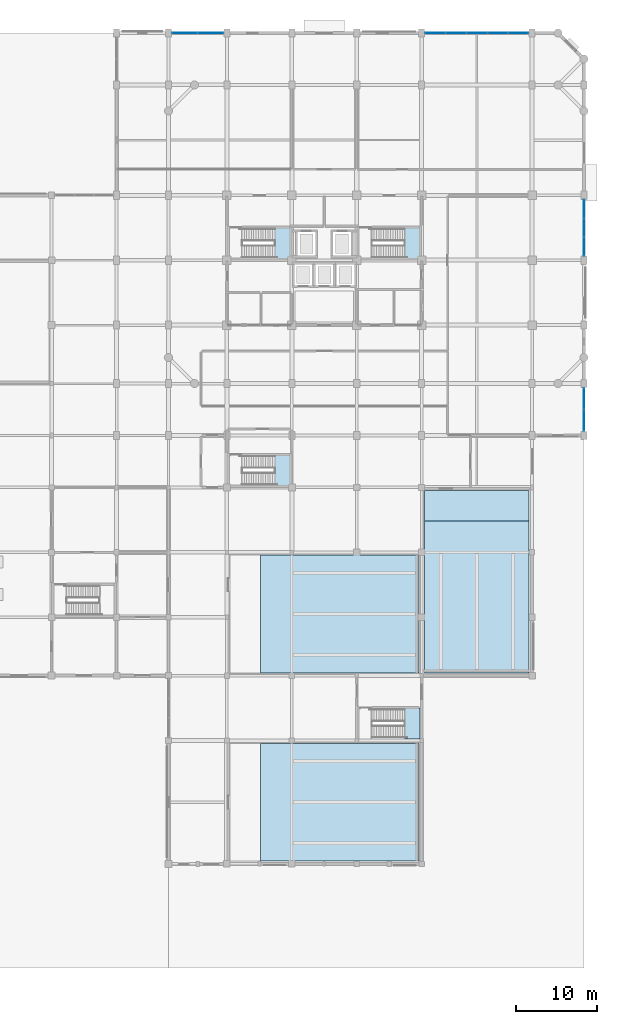
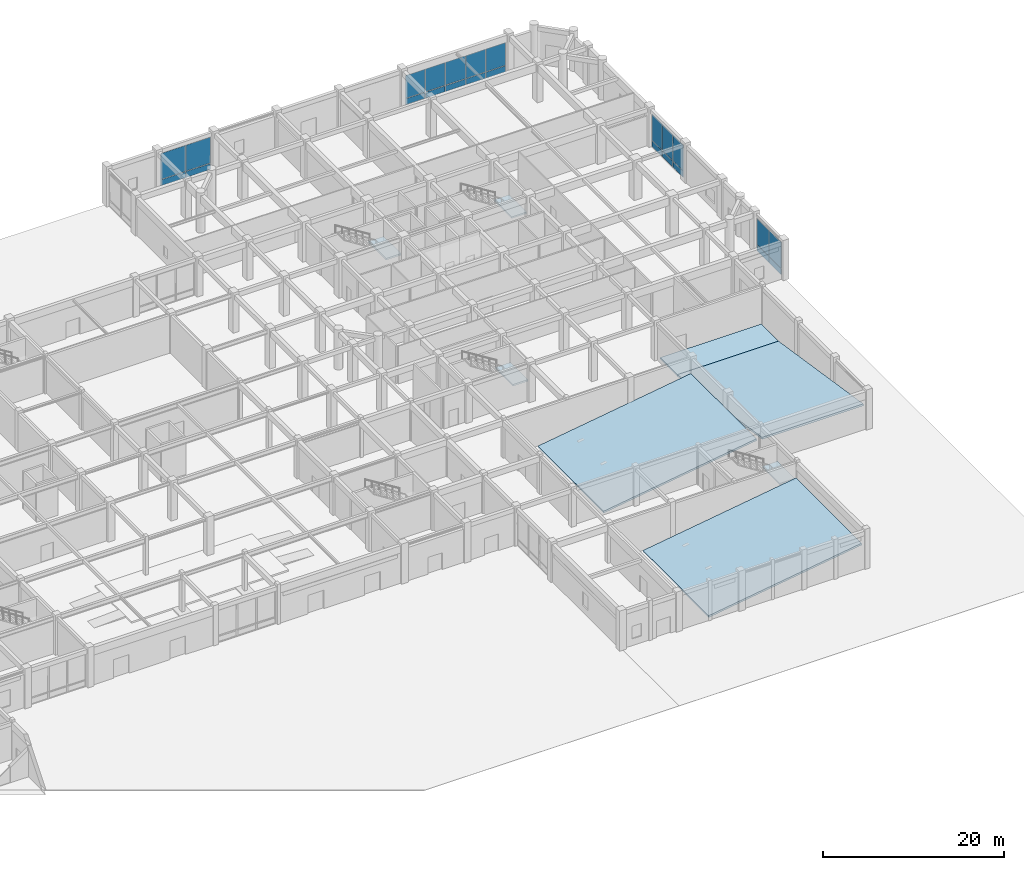
# One storey, part 22 of 40: 24 plates, 8 slabs, 8 elements without a shape of their own.
"""IFC4 building model written with IfcOpenShell, lengths in metres."""

from ifc_helpers import new_model, si_unit, direction, frame, origin, origin_2d, place, context, subcontext, project, spatial, polyline, rectangle, outline, extrude, material, layer, layer_set, type_object, element, aggregate, save


model = new_model("IFC4")

# Units and contexts
model_context = context("Model", 3, precision=1e-05, world=origin(), true_north=direction((0.0, 1.0)))
body_context = subcontext(model_context, "Body", "Model", "MODEL_VIEW")
ifc_project = project(units=[si_unit("LENGTHUNIT", "METRE"), si_unit("AREAUNIT", "SQUARE_METRE"), si_unit("VOLUMEUNIT", "CUBIC_METRE"), si_unit("PLANEANGLEUNIT", "RADIAN"), si_unit("MASSUNIT", "GRAM", prefix="KILO")], contexts=[model_context])

# Site, building, storey
site_placement = place(None, origin())
site = spatial("IfcSite", under=ifc_project, at=site_placement, CompositionType="ELEMENT")
building_placement = place(site_placement, origin())
building = spatial("IfcBuilding", under=site, at=building_placement, Name="Vellmiral Cinema and Media Centre", CompositionType="ELEMENT")
storey_placement = place(building_placement, origin())
storey = spatial("IfcBuildingStorey", under=building, at=storey_placement, Name="L00", CompositionType="ELEMENT", Elevation=0.0)

# Curtain wall, plates
ifc_material_1 = material(Name="Thermally Broken Aluminium and Triple Glazing", Category="aluminium")
curtain_wall_type = type_object("IfcCurtainWallType", Name="CW-LIB-BAY", PredefinedType="USERDEFINED", material=ifc_material_1)
curtain_wall_1_placement = place(storey_placement, origin())
curtain_wall_1 = element("IfcCurtainWall", 1, at=curtain_wall_1_placement, inside=storey, type_object=curtain_wall_type, Name="Curtain Wall L00-B037", ObjectType="STICK CURTAIN WALL", PredefinedType="USERDEFINED")
ifc_material_2 = material(Name="Laminated Studio Acoustic Glazing", Category="glass")
ifc_layer_1 = layer(ifc_material_2, 0.0439453125, Name="Laminated Studio Acoustic Glazing")
ifc_layer_set_1 = layer_set([ifc_layer_1], Name="Laminated Studio Acoustic Glazing")
plate_type_1 = type_object("IfcPlateType", Name="CWP-ACOUST-44", PredefinedType="CURTAIN_PANEL", material=ifc_layer_set_1)
plate_1_placement = place(storey_placement, frame((168.0, 67.467529296875, 0.93505859375), z_axis=(0.0, 0.0, 1.0), x_axis=(0.0, 1.0, 0.0)))
plate_1 = element("IfcPlate", 2, at=plate_1_placement, type_object=plate_type_1, Name="CW-03 panel 1.2", PredefinedType="CURTAIN_PANEL", context=body_context, shape_type="SweptSolid", body=[
    extrude(rectangle(XDim=2.594970703125, YDim=0.0439453125, at=origin_2d()), origin(), (0.0, 0.0, 1.0), 3.47509765625),
])
plate_2_placement = place(storey_placement, frame((168.0, 70.132568359375, 0.93505859375), z_axis=(0.0, 0.0, 1.0), x_axis=(0.0, 1.0, 0.0)))
plate_2 = element("IfcPlate", 3, at=plate_2_placement, type_object=plate_type_1, Name="CW-03 panel 2.2", PredefinedType="CURTAIN_PANEL", context=body_context, shape_type="SweptSolid", body=[
    extrude(rectangle(XDim=2.594970703125, YDim=0.0439453125, at=origin_2d()), origin(), (0.0, 0.0, 1.0), 3.47509765625),
])

curtain_wall_2_placement = place(storey_placement, origin())
curtain_wall_2 = element("IfcCurtainWall", 4, at=curtain_wall_2_placement, inside=storey, type_object=curtain_wall_type, Name="Curtain Wall L00-B041", ObjectType="STICK CURTAIN WALL", PredefinedType="USERDEFINED")
plate_3_placement = place(storey_placement, frame((168.0, 88.88427734375, 0.93505859375), z_axis=(0.0, 0.0, 1.0), x_axis=(0.0, 1.0, 0.0)))
plate_3 = element("IfcPlate", 5, at=plate_3_placement, type_object=plate_type_1, Name="CW-03 panel 1.2", PredefinedType="CURTAIN_PANEL", context=body_context, shape_type="SweptSolid", body=[
    extrude(rectangle(XDim=2.228271484375, YDim=0.0439453125, at=origin_2d()), origin(), (0.0, 0.0, 1.0), 3.47509765625),
])
plate_4_placement = place(storey_placement, frame((168.0, 91.199951171875, 0.93505859375), z_axis=(0.0, 0.0, 1.0), x_axis=(0.0, 1.0, 0.0)))
plate_4 = element("IfcPlate", 6, at=plate_4_placement, type_object=plate_type_1, Name="CW-03 panel 2.2", PredefinedType="CURTAIN_PANEL", context=body_context, shape_type="SweptSolid", body=[
    extrude(rectangle(XDim=2.263427734375, YDim=0.0439453125, at=origin_2d()), origin(), (0.0, 0.0, 1.0), 3.47509765625),
])
plate_5_placement = place(storey_placement, frame((168.0, 93.515869140625, 0.93505859375), z_axis=(0.0, 0.0, 1.0), x_axis=(0.0, 1.0, 0.0)))
plate_5 = element("IfcPlate", 7, at=plate_5_placement, type_object=plate_type_1, Name="CW-03 panel 3.2", PredefinedType="CURTAIN_PANEL", context=body_context, shape_type="SweptSolid", body=[
    extrude(rectangle(XDim=2.228271484375, YDim=0.0439453125, at=origin_2d()), origin(), (0.0, 0.0, 1.0), 3.47509765625),
])

curtain_wall_3_placement = place(storey_placement, origin())
curtain_wall_3 = element("IfcCurtainWall", 8, at=curtain_wall_3_placement, inside=storey, type_object=curtain_wall_type, Name="Curtain Wall L00-B047", ObjectType="STICK CURTAIN WALL", PredefinedType="USERDEFINED")
plate_6_placement = place(storey_placement, frame((159.922607421875, 115.199951171875, 0.93505859375), z_axis=(0.0, 0.0, 1.0), x_axis=(-1.0, 0.0, 0.0)))
plate_6 = element("IfcPlate", 9, at=plate_6_placement, type_object=plate_type_1, Name="CW-03 panel 1.2", PredefinedType="CURTAIN_PANEL", context=body_context, shape_type="SweptSolid", body=[
    extrude(rectangle(XDim=2.465087890625, YDim=0.0439453125, at=origin_2d()), origin(), (0.0, 0.0, 1.0), 3.06005859375),
])
plate_7_placement = place(storey_placement, frame((157.3701171875, 115.199951171875, 0.93505859375), z_axis=(0.0, 0.0, 1.0), x_axis=(-1.0, 0.0, 0.0)))
plate_7 = element("IfcPlate", 10, at=plate_7_placement, type_object=plate_type_1, Name="CW-03 panel 2.2", PredefinedType="CURTAIN_PANEL", context=body_context, shape_type="SweptSolid", body=[
    extrude(rectangle(XDim=2.5, YDim=0.0439453125, at=origin_2d()), origin(), (0.0, 0.0, 1.0), 3.06005859375),
])
plate_8_placement = place(storey_placement, frame((154.800048828125, 115.199951171875, 0.93505859375), z_axis=(0.0, 0.0, 1.0), x_axis=(-1.0, 0.0, 0.0)))
plate_8 = element("IfcPlate", 11, at=plate_8_placement, type_object=plate_type_1, Name="CW-03 panel 3.2", PredefinedType="CURTAIN_PANEL", context=body_context, shape_type="SweptSolid", body=[
    extrude(rectangle(XDim=2.5, YDim=0.0439453125, at=origin_2d()), origin(), (0.0, 0.0, 1.0), 3.06005859375),
])
plate_9_placement = place(storey_placement, frame((152.22998046875, 115.199951171875, 0.93505859375), z_axis=(0.0, 0.0, 1.0), x_axis=(-1.0, 0.0, 0.0)))
plate_9 = element("IfcPlate", 12, at=plate_9_placement, type_object=plate_type_1, Name="CW-03 panel 4.2", PredefinedType="CURTAIN_PANEL", context=body_context, shape_type="SweptSolid", body=[
    extrude(rectangle(XDim=2.5, YDim=0.0439453125, at=origin_2d()), origin(), (0.0, 0.0, 1.0), 3.06005859375),
])
plate_10_placement = place(storey_placement, frame((149.677490234375, 115.199951171875, 0.93505859375), z_axis=(0.0, 0.0, 1.0), x_axis=(-1.0, 0.0, 0.0)))
plate_10 = element("IfcPlate", 13, at=plate_10_placement, type_object=plate_type_1, Name="CW-03 panel 5.2", PredefinedType="CURTAIN_PANEL", context=body_context, shape_type="SweptSolid", body=[
    extrude(rectangle(XDim=2.465087890625, YDim=0.0439453125, at=origin_2d()), origin(), (0.0, 0.0, 1.0), 3.06005859375),
])

curtain_wall_4_placement = place(storey_placement, origin())
curtain_wall_4 = element("IfcCurtainWall", 14, at=curtain_wall_4_placement, inside=storey, type_object=curtain_wall_type, Name="Curtain Wall L00-B051", ObjectType="STICK CURTAIN WALL", PredefinedType="USERDEFINED")
plate_11_placement = place(storey_placement, frame((121.9951171875, 115.199951171875, 0.93505859375), z_axis=(0.0, 0.0, 1.0), x_axis=(-1.0, 0.0, 0.0)))
plate_11 = element("IfcPlate", 15, at=plate_11_placement, type_object=plate_type_1, Name="CW-03 panel 1.2", PredefinedType="CURTAIN_PANEL", context=body_context, shape_type="SweptSolid", body=[
    extrude(rectangle(XDim=3.1201171875, YDim=0.0439453125, at=origin_2d()), origin(), (0.0, 0.0, 1.0), 3.47509765625),
])
plate_12_placement = place(storey_placement, frame((118.804931640625, 115.199951171875, 0.93505859375), z_axis=(0.0, 0.0, 1.0), x_axis=(-1.0, 0.0, 0.0)))
plate_12 = element("IfcPlate", 16, at=plate_12_placement, type_object=plate_type_1, Name="CW-03 panel 2.2", PredefinedType="CURTAIN_PANEL", context=body_context, shape_type="SweptSolid", body=[
    extrude(rectangle(XDim=3.1201171875, YDim=0.0439453125, at=origin_2d()), origin(), (0.0, 0.0, 1.0), 3.47509765625),
])

# Plate
ifc_material_3 = material(Name="Honed Vosges Sandstone Spandrel Panel", Category="masonry")
ifc_layer_2 = layer(ifc_material_3, 0.06005859375, Name="Honed Vosges Sandstone Spandrel Panel")
ifc_layer_set_2 = layer_set([ifc_layer_2], Name="Honed Vosges Sandstone Spandrel Panel")
plate_type_2 = type_object("IfcPlateType", Name="CWP-SAND-60", PredefinedType="CURTAIN_PANEL", material=ifc_layer_set_2)
plate_13_placement = place(storey_placement, frame((168.0, 67.467529296875, 0.070068359375), z_axis=(0.0, 0.0, 1.0), x_axis=(0.0, 1.0, 0.0)))
plate_13 = element("IfcPlate", 17, at=plate_13_placement, type_object=plate_type_2, Name="CW-03 panel 1.1", PredefinedType="CURTAIN_PANEL", context=body_context, shape_type="SweptSolid", body=[
    extrude(rectangle(XDim=2.594970703125, YDim=0.06005859375, at=origin_2d()), origin(), (0.0, 0.0, 1.0), 0.794921875),
])

plate_14_placement = place(storey_placement, frame((168.0, 70.132568359375, 0.070068359375), z_axis=(0.0, 0.0, 1.0), x_axis=(0.0, 1.0, 0.0)))
plate_14 = element("IfcPlate", 18, at=plate_14_placement, type_object=plate_type_2, Name="CW-03 panel 2.1", PredefinedType="CURTAIN_PANEL", context=body_context, shape_type="SweptSolid", body=[
    extrude(rectangle(XDim=2.594970703125, YDim=0.06005859375, at=origin_2d()), origin(), (0.0, 0.0, 1.0), 0.794921875),
])

aggregate(curtain_wall_1, [plate_13, plate_1, plate_14, plate_2])

plate_15_placement = place(storey_placement, frame((168.0, 88.88427734375, 0.070068359375), z_axis=(0.0, 0.0, 1.0), x_axis=(0.0, 1.0, 0.0)))
plate_15 = element("IfcPlate", 19, at=plate_15_placement, type_object=plate_type_2, Name="CW-03 panel 1.1", PredefinedType="CURTAIN_PANEL", context=body_context, shape_type="SweptSolid", body=[
    extrude(rectangle(XDim=2.228271484375, YDim=0.06005859375, at=origin_2d()), origin(), (0.0, 0.0, 1.0), 0.794921875),
])

plate_16_placement = place(storey_placement, frame((168.0, 91.199951171875, 0.070068359375), z_axis=(0.0, 0.0, 1.0), x_axis=(0.0, 1.0, 0.0)))
plate_16 = element("IfcPlate", 20, at=plate_16_placement, type_object=plate_type_2, Name="CW-03 panel 2.1", PredefinedType="CURTAIN_PANEL", context=body_context, shape_type="SweptSolid", body=[
    extrude(rectangle(XDim=2.263427734375, YDim=0.06005859375, at=origin_2d()), origin(), (0.0, 0.0, 1.0), 0.794921875),
])

plate_17_placement = place(storey_placement, frame((168.0, 93.515869140625, 0.070068359375), z_axis=(0.0, 0.0, 1.0), x_axis=(0.0, 1.0, 0.0)))
plate_17 = element("IfcPlate", 21, at=plate_17_placement, type_object=plate_type_2, Name="CW-03 panel 3.1", PredefinedType="CURTAIN_PANEL", context=body_context, shape_type="SweptSolid", body=[
    extrude(rectangle(XDim=2.228271484375, YDim=0.06005859375, at=origin_2d()), origin(), (0.0, 0.0, 1.0), 0.794921875),
])

aggregate(curtain_wall_2, [plate_15, plate_3, plate_16, plate_4, plate_17, plate_5])

plate_18_placement = place(storey_placement, frame((159.922607421875, 115.199951171875, 0.070068359375), z_axis=(0.0, 0.0, 1.0), x_axis=(-1.0, 0.0, 0.0)))
plate_18 = element("IfcPlate", 22, at=plate_18_placement, type_object=plate_type_2, Name="CW-03 panel 1.1", PredefinedType="CURTAIN_PANEL", context=body_context, shape_type="SweptSolid", body=[
    extrude(rectangle(XDim=2.465087890625, YDim=0.06005859375, at=origin_2d()), origin(), (0.0, 0.0, 1.0), 0.794921875),
])

plate_19_placement = place(storey_placement, frame((157.3701171875, 115.199951171875, 0.070068359375), z_axis=(0.0, 0.0, 1.0), x_axis=(-1.0, 0.0, 0.0)))
plate_19 = element("IfcPlate", 23, at=plate_19_placement, type_object=plate_type_2, Name="CW-03 panel 2.1", PredefinedType="CURTAIN_PANEL", context=body_context, shape_type="SweptSolid", body=[
    extrude(rectangle(XDim=2.5, YDim=0.06005859375, at=origin_2d()), origin(), (0.0, 0.0, 1.0), 0.794921875),
])

plate_20_placement = place(storey_placement, frame((154.800048828125, 115.199951171875, 0.070068359375), z_axis=(0.0, 0.0, 1.0), x_axis=(-1.0, 0.0, 0.0)))
plate_20 = element("IfcPlate", 24, at=plate_20_placement, type_object=plate_type_2, Name="CW-03 panel 3.1", PredefinedType="CURTAIN_PANEL", context=body_context, shape_type="SweptSolid", body=[
    extrude(rectangle(XDim=2.5, YDim=0.06005859375, at=origin_2d()), origin(), (0.0, 0.0, 1.0), 0.794921875),
])

plate_21_placement = place(storey_placement, frame((152.22998046875, 115.199951171875, 0.070068359375), z_axis=(0.0, 0.0, 1.0), x_axis=(-1.0, 0.0, 0.0)))
plate_21 = element("IfcPlate", 25, at=plate_21_placement, type_object=plate_type_2, Name="CW-03 panel 4.1", PredefinedType="CURTAIN_PANEL", context=body_context, shape_type="SweptSolid", body=[
    extrude(rectangle(XDim=2.5, YDim=0.06005859375, at=origin_2d()), origin(), (0.0, 0.0, 1.0), 0.794921875),
])

plate_22_placement = place(storey_placement, frame((149.677490234375, 115.199951171875, 0.070068359375), z_axis=(0.0, 0.0, 1.0), x_axis=(-1.0, 0.0, 0.0)))
plate_22 = element("IfcPlate", 26, at=plate_22_placement, type_object=plate_type_2, Name="CW-03 panel 5.1", PredefinedType="CURTAIN_PANEL", context=body_context, shape_type="SweptSolid", body=[
    extrude(rectangle(XDim=2.465087890625, YDim=0.06005859375, at=origin_2d()), origin(), (0.0, 0.0, 1.0), 0.794921875),
])

aggregate(curtain_wall_3, [plate_18, plate_6, plate_19, plate_7, plate_20, plate_8, plate_21, plate_9, plate_22, plate_10])

plate_23_placement = place(storey_placement, frame((121.9951171875, 115.199951171875, 0.070068359375), z_axis=(0.0, 0.0, 1.0), x_axis=(-1.0, 0.0, 0.0)))
plate_23 = element("IfcPlate", 27, at=plate_23_placement, type_object=plate_type_2, Name="CW-03 panel 1.1", PredefinedType="CURTAIN_PANEL", context=body_context, shape_type="SweptSolid", body=[
    extrude(rectangle(XDim=3.1201171875, YDim=0.06005859375, at=origin_2d()), origin(), (0.0, 0.0, 1.0), 0.794921875),
])

plate_24_placement = place(storey_placement, frame((118.804931640625, 115.199951171875, 0.070068359375), z_axis=(0.0, 0.0, 1.0), x_axis=(-1.0, 0.0, 0.0)))
plate_24 = element("IfcPlate", 28, at=plate_24_placement, type_object=plate_type_2, Name="CW-03 panel 2.1", PredefinedType="CURTAIN_PANEL", context=body_context, shape_type="SweptSolid", body=[
    extrude(rectangle(XDim=3.1201171875, YDim=0.06005859375, at=origin_2d()), origin(), (0.0, 0.0, 1.0), 0.794921875),
])

aggregate(curtain_wall_4, [plate_23, plate_11, plate_24, plate_12])

# Stair, slab
ifc_material_4 = material(Name="Concrete C40/50", Category="concrete")
stair_type = type_object("IfcStairType", Name="ST-2RET-540", PredefinedType="HALF_TURN_STAIR", material=ifc_material_4)
stair_1_placement = place(storey_placement, origin())
stair_1 = element("IfcStair", 29, at=stair_1_placement, inside=storey, type_object=stair_type, Name="Protected Escape Stair ST-P6 (L00)", PredefinedType="HALF_TURN_STAIR")
ifc_material_5 = material(Name="Concrete C40/50", Category="concrete")
ifc_layer_3 = layer(ifc_material_5, 0.219970703125, Name="Concrete C40/50")
ifc_layer_set_3 = layer_set([ifc_layer_3], Name="Concrete C40/50")
slab_type_1 = type_object("IfcSlabType", Name="SLB-LAND-220", PredefinedType="LANDING", material=ifc_layer_set_3)
slab_1_placement = place(storey_placement, frame((0.0, 0.0, 2.47998046875)))
slab_1 = element("IfcSlab", 30, at=slab_1_placement, type_object=slab_type_1, Name="ST-P6 landing 1", PredefinedType="LANDING", context=body_context, shape_type="SweptSolid", body=[
    extrude(outline(polyline([(129.909912109375, 59.3798828125), (131.820068359375, 59.3798828125), (131.820068359375, 63.219970703125), (129.909912109375, 63.219970703125), (129.909912109375, 59.3798828125)])), origin(), (0.0, 0.0, 1.0), 0.219970703125),
])
aggregate(stair_1, [slab_1])

stair_2_placement = place(storey_placement, origin())
stair_2 = element("IfcStair", 31, at=stair_2_placement, inside=storey, type_object=stair_type, Name="Protected Escape Stair ST-P8 (L00)", PredefinedType="HALF_TURN_STAIR")
slab_2_placement = place(storey_placement, frame((0.0, 0.0, 2.47998046875)))
slab_2 = element("IfcSlab", 32, at=slab_2_placement, type_object=slab_type_1, Name="ST-P8 landing 1", PredefinedType="LANDING", context=body_context, shape_type="SweptSolid", body=[
    extrude(outline(polyline([(145.909912109375, 28.179931640625), (147.820068359375, 28.179931640625), (147.820068359375, 32.02001953125), (145.909912109375, 32.02001953125), (145.909912109375, 28.179931640625)])), origin(), (0.0, 0.0, 1.0), 0.219970703125),
])
aggregate(stair_2, [slab_2])

stair_3_placement = place(storey_placement, origin())
stair_3 = element("IfcStair", 33, at=stair_3_placement, inside=storey, type_object=stair_type, Name="Protected Escape Stair ST-T1 (L00)", PredefinedType="HALF_TURN_STAIR")
slab_3_placement = place(storey_placement, frame((0.0, 0.0, 2.47998046875)))
slab_3 = element("IfcSlab", 34, at=slab_3_placement, type_object=slab_type_1, Name="ST-T1 landing 1", PredefinedType="LANDING", context=body_context, shape_type="SweptSolid", body=[
    extrude(outline(polyline([(129.909912109375, 87.3798828125), (131.820068359375, 87.3798828125), (131.820068359375, 91.219970703125), (129.909912109375, 91.219970703125), (129.909912109375, 87.3798828125)])), origin(), (0.0, 0.0, 1.0), 0.219970703125),
])
aggregate(stair_3, [slab_3])

stair_4_placement = place(storey_placement, origin())
stair_4 = element("IfcStair", 35, at=stair_4_placement, inside=storey, type_object=stair_type, Name="Protected Escape Stair ST-T2 (L00)", PredefinedType="HALF_TURN_STAIR")
slab_4_placement = place(storey_placement, frame((0.0, 0.0, 2.47998046875)))
slab_4 = element("IfcSlab", 36, at=slab_4_placement, type_object=slab_type_1, Name="ST-T2 landing 1", PredefinedType="LANDING", context=body_context, shape_type="SweptSolid", body=[
    extrude(outline(polyline([(145.909912109375, 87.3798828125), (147.820068359375, 87.3798828125), (147.820068359375, 91.219970703125), (145.909912109375, 91.219970703125), (145.909912109375, 87.3798828125)])), origin(), (0.0, 0.0, 1.0), 0.219970703125),
])
aggregate(stair_4, [slab_4])

# Slabs
ifc_material_6 = material(Name="Concrete C40/50", Category="concrete")
ifc_layer_4 = layer(ifc_material_6, 0.199951171875, Name="Concrete C40/50")
ifc_layer_set_4 = layer_set([ifc_layer_4], Name="Concrete C40/50")
slab_type_2 = type_object("IfcSlabType", Name="SLB-PLAT-200", PredefinedType="FLOOR", material=ifc_layer_set_4)
slab_5_placement = place(storey_placement, origin())
element("IfcSlab", 37, at=slab_5_placement, inside=storey, type_object=slab_type_2, Name="Cinema Screen 7 Wheelchair Seating Platform", PredefinedType="FLOOR", context=body_context, shape_type="SweptSolid", body=[
    extrude(outline(polyline([(148.35009765625, 55.050048828125), (161.25, 55.050048828125), (161.25, 58.85009765625), (148.35009765625, 58.85009765625), (148.35009765625, 55.050048828125)])), origin(), (0.0, 0.0, 1.0), 0.199951171875),
])
ifc_material_7 = material(Name="Concrete C40/50", Category="concrete")
ifc_layer_5 = layer(ifc_material_7, 0.25, Name="Concrete C40/50")
ifc_layer_set_5 = layer_set([ifc_layer_5], Name="Concrete C40/50")
slab_type_3 = type_object("IfcSlabType", Name="SLB-RAKE-250", PredefinedType="FLOOR", material=ifc_layer_set_5)
for number, where, z_axis, x_axis, name in (
    (38, (128.14990234375, 13.14990234375, 0.199951171875), (-0.149541342681, 0.0, 0.988755473729), (0.988755473729, 0.0, 0.149541342681), "Cinema Screen 5 Raked Auditorium Floor Slab"),
    (39, (128.14990234375, 36.35009765625, 0.199951171875), (-0.149541342681, 0.0, 0.988755473729), (0.988755473729, 0.0, 0.149541342681), "Cinema Screen 6 Raked Auditorium Floor Slab"),
):
    element("IfcSlab", number, at=place(storey_placement, frame(where, z_axis=z_axis, x_axis=x_axis)), inside=storey, type_object=slab_type_3, Name=name, PredefinedType="FLOOR", context=body_context, shape_type="SweptSolid", body=[
        extrude(outline(polyline([(0.0, 0.0), (19.72176186945151, 0.0), (19.72176186945151, 14.5), (0.0, 14.5), (0.0, 0.0)])), origin(), (0.0, 0.0, -1.0), 0.25),
    ])
slab_6_placement = place(storey_placement, frame((148.35009765625, 36.35009765625, 3.094970703125), z_axis=(0.0, 0.152991727048, 0.98822746949), x_axis=(1.0, 0.0, 0.0)))
element("IfcSlab", 40, at=slab_6_placement, inside=storey, type_object=slab_type_3, Name="Cinema Screen 7 Raked Auditorium Floor Slab", PredefinedType="FLOOR", context=body_context, shape_type="SweptSolid", body=[
    extrude(outline(polyline([(0.0, 0.0), (12.89990234375, 0.0), (12.89990234375, 18.922719464094694), (0.0, 18.922719464094694), (0.0, 0.0)])), origin(), (0.0, 0.0, -1.0), 0.25),
])

save(model, "model.ifc")
